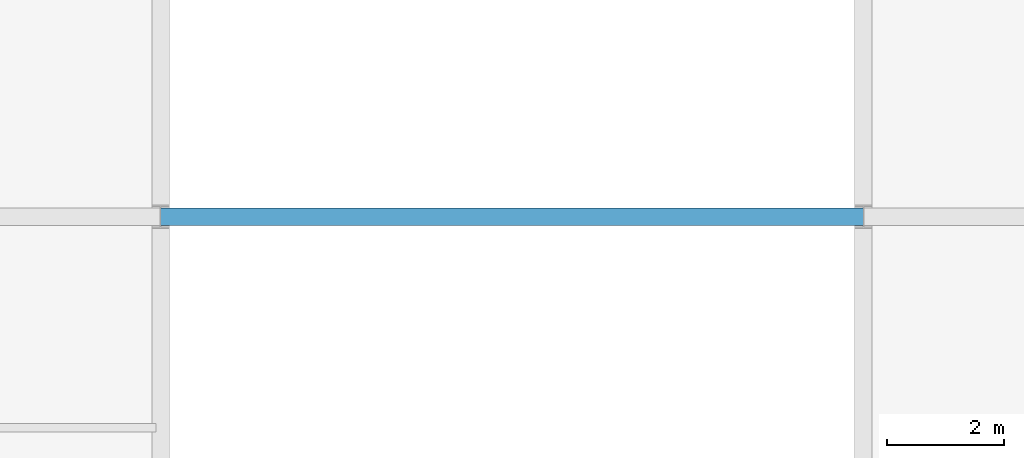
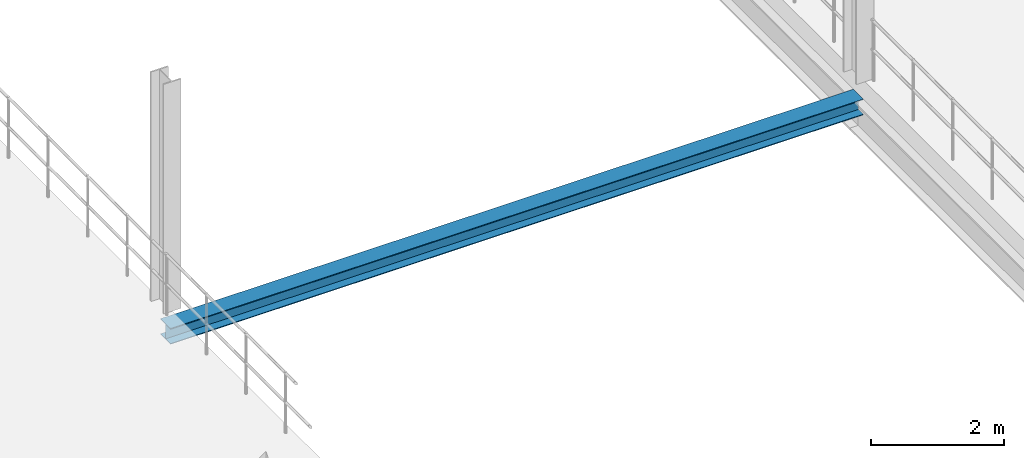
# One storey, part 51 of 147: 1 beam.
"""IFC4 building model written with IfcOpenShell, lengths in metres."""

from ifc_helpers import new_model, si_unit, direction, frame, origin, origin_2d, place, context, subcontext, project, spatial, i_section, extrude, material, material_profile, profile_set, type_object, element, save


model = new_model("IFC4")

# Units and contexts
model_context = context("Model", 3, precision=1e-05, world=origin(), true_north=direction((0.0, 1.0)))
body_context = subcontext(model_context, "Body", "Model", "MODEL_VIEW")
ifc_project = project(units=[si_unit("LENGTHUNIT", "METRE"), si_unit("AREAUNIT", "SQUARE_METRE"), si_unit("VOLUMEUNIT", "CUBIC_METRE"), si_unit("PLANEANGLEUNIT", "RADIAN"), si_unit("MASSUNIT", "GRAM", prefix="KILO")], contexts=[model_context])

# Site, building, storey
site_placement = place(None, origin())
site = spatial("IfcSite", under=ifc_project, at=site_placement, CompositionType="ELEMENT")
building_placement = place(site_placement, origin())
building = spatial("IfcBuilding", under=site, at=building_placement, Name="Zilviju Railside Exhibition Hall", CompositionType="ELEMENT")
storey_placement = place(building_placement, frame((0.0, 0.0, 8.39990234375)))
storey = spatial("IfcBuildingStorey", under=building, at=storey_placement, Name="L03", CompositionType="ELEMENT", Elevation=8.39990234375)

# Beam
ifc_material = material(Name="Steel S355J2", Category="steel")
ifc_material_profile = material_profile(ifc_material, i_section(OverallWidth=0.300048828125, OverallDepth=0.2900390625, WebThickness=0.008544921875, FlangeThickness=0.013916015625, at=origin_2d()), Name="HEA 300")
ifc_profile_set = profile_set([ifc_material_profile], Name="Steel S355J2")
beam_type = type_object("IfcBeamType", Name="BM-HEA300", PredefinedType="SPANDREL", material=ifc_profile_set)
beam_placement = place(storey_placement, frame((58.0, 36.0, -0.494873046875), z_axis=(1.0, 0.0, 0.0), x_axis=(0.0, 1.0, 0.0)))
element("IfcBeam", 1, at=beam_placement, inside=storey, type_object=beam_type, Name="Primary Girder L03 Y=36.0 (58.0..70.0)", PredefinedType="SPANDREL", context=body_context, shape_type="SweptSolid", body=[
    extrude(i_section(OverallWidth=0.300048828125, OverallDepth=0.2900390625, WebThickness=0.008544921875, FlangeThickness=0.013916015625, at=origin_2d()), origin(), (0.0, 0.0, 1.0), 12.0),
])

save(model, "model.ifc")
